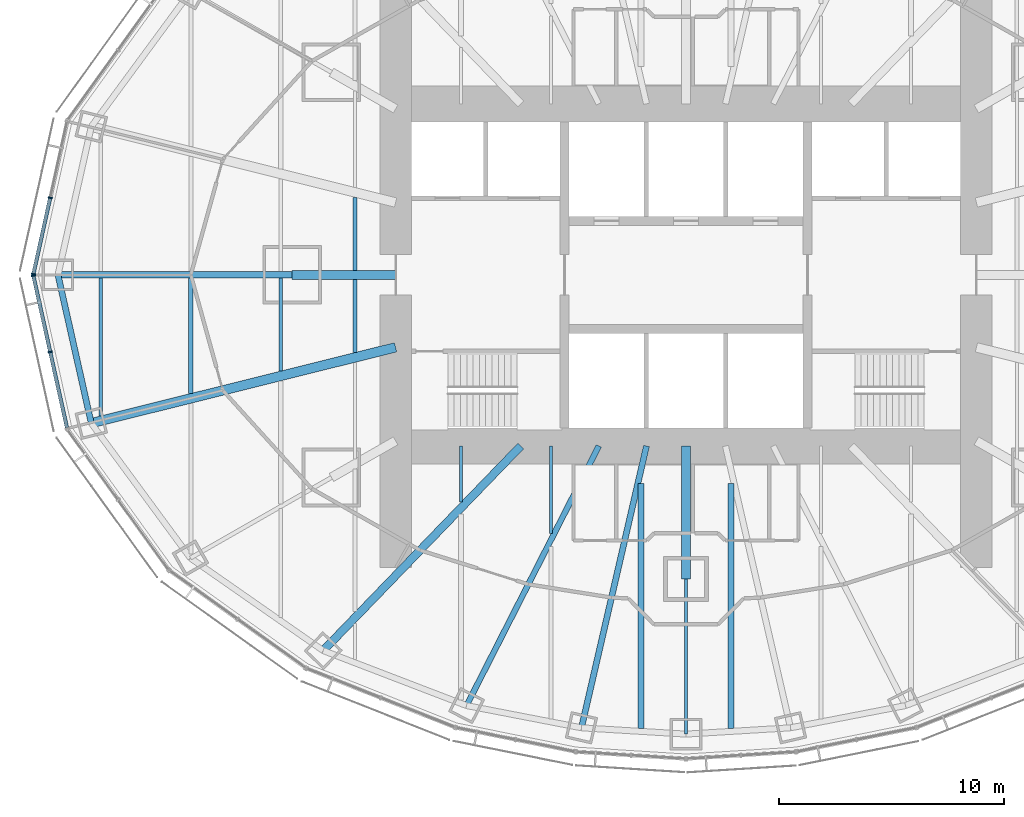
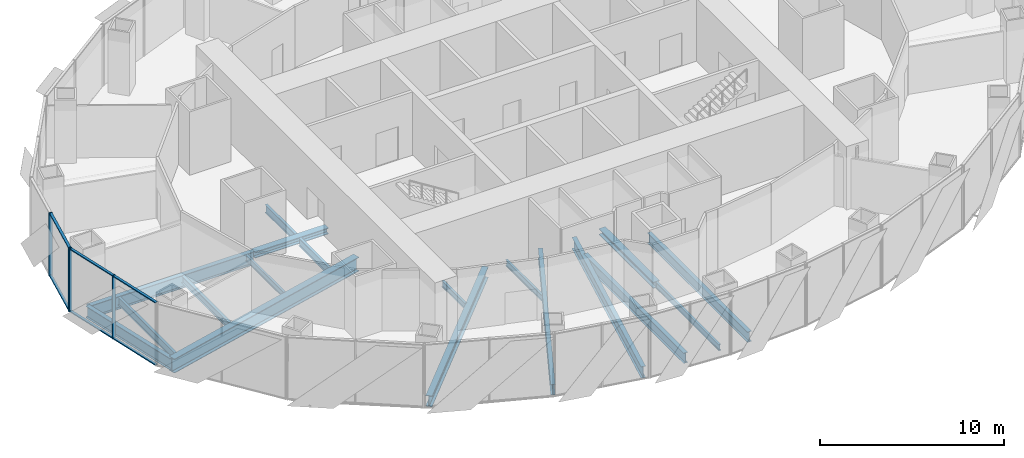
# One storey, part 3 of 17: 18 beams, 10 members, 2 elements without a shape of their own.
"""IFC4 building model written with IfcOpenShell, lengths in metres."""

from ifc_helpers import new_model, si_unit, direction, frame, origin, origin_2d, place, context, subcontext, project, spatial, rectangle, i_section, extrude, material, material_profile, profile_set, type_object, element, aggregate, save


model = new_model("IFC4")

# Units and contexts
model_context = context("Model", 3, precision=1e-05, world=origin(), true_north=direction((0.0, 1.0)))
body_context = subcontext(model_context, "Body", "Model", "MODEL_VIEW")
ifc_project = project(units=[si_unit("LENGTHUNIT", "METRE"), si_unit("AREAUNIT", "SQUARE_METRE"), si_unit("VOLUMEUNIT", "CUBIC_METRE"), si_unit("PLANEANGLEUNIT", "RADIAN"), si_unit("MASSUNIT", "GRAM", prefix="KILO")], contexts=[model_context])

# Site, building, storey
site_placement = place(None, origin())
site = spatial("IfcSite", under=ifc_project, at=site_placement, CompositionType="ELEMENT")
building_placement = place(site_placement, origin())
building = spatial("IfcBuilding", under=site, at=building_placement, Name="Lantaw Convention Tower", CompositionType="ELEMENT")
storey_placement = place(building_placement, frame((0.0, 0.0, 125.800048828125)))
storey = spatial("IfcBuildingStorey", under=building, at=storey_placement, Name="L29", CompositionType="ELEMENT", Elevation=125.800048828125)

# Beams
ifc_material_1 = material(Name="Steel ASTM A992", Category="steel")
ifc_material_profile_1 = material_profile(ifc_material_1, i_section(OverallWidth=0.2666015625, OverallDepth=0.76953125, WebThickness=0.015625, FlangeThickness=0.025390625, FilletRadius=0.0126953125, at=origin_2d()), Name="W30X132")
ifc_profile_set_1 = profile_set([ifc_material_profile_1], Name="Steel ASTM A992")
beam_type_1 = type_object("IfcBeamType", Name="Beam E W30X132", PredefinedType="SPANDREL", material=ifc_profile_set_1)
beam_1_placement = place(storey_placement, frame((-27.89990234375, 0.0, -0.534912109375), z_axis=(0.219211877447, -0.975677279015, 0.0), x_axis=(0.975677279015, 0.219211877447, 0.0)))
element("IfcBeam", 1, at=beam_1_placement, inside=storey, type_object=beam_type_1, Name="Edge beam 13", PredefinedType="SPANDREL", context=body_context, shape_type="SweptSolid", body=[
    extrude(i_section(OverallWidth=0.2666015625, OverallDepth=0.76953125, WebThickness=0.015625, FlangeThickness=0.025390625, FilletRadius=0.0126953125, at=origin_2d()), origin(), (0.0, 0.0, 1.0), 6.75146484375),
])
ifc_material_profile_2 = material_profile(ifc_material_1, i_section(OverallWidth=0.140380859375, OverallDepth=0.40380859375, WebThickness=0.007080078125, FlangeThickness=0.01123046875, FilletRadius=0.01025390625, at=origin_2d()), Name="W16X31")
ifc_profile_set_2 = profile_set([ifc_material_profile_2], Name="Steel ASTM A992")
beam_type_2 = type_object("IfcBeamType", Name="Beam G W16X31", PredefinedType="BEAM", material=ifc_profile_set_2)
beam_2_placement = place(storey_placement, frame((0.0, -13.5, -0.35205078125), z_axis=(0.0, -1.0, 0.0), x_axis=(1.0, 0.0, 0.0)))
element("IfcBeam", 2, at=beam_2_placement, inside=storey, type_object=beam_type_2, Name="Floor girder on ray 19", PredefinedType="BEAM", context=body_context, shape_type="SweptSolid", body=[
    extrude(i_section(OverallWidth=0.140380859375, OverallDepth=0.40380859375, WebThickness=0.007080078125, FlangeThickness=0.01123046875, FilletRadius=0.01025390625, at=origin_2d()), origin(), (0.0, 0.0, 1.0), 6.89990234375),
])
ifc_material_profile_3 = material_profile(ifc_material_1, i_section(OverallWidth=0.25390625, OverallDepth=0.700927734375, WebThickness=0.015380859375, FlangeThickness=0.02783203125, FilletRadius=0.01513671875, at=origin_2d()), Name="W27X129")
ifc_profile_set_3 = profile_set([ifc_material_profile_3], Name="Steel ASTM A992")
beam_type_3 = type_object("IfcBeamType", Name="Beam G W27X129", PredefinedType="BEAM", material=ifc_profile_set_3)
beam_3_placement = place(storey_placement, frame((-3.872314453125, -7.60009765625, -0.50048828125), z_axis=(-0.453991051051, -0.891006243281, 0.0), x_axis=(0.891006243281, -0.453991051051, 0.0)))
element("IfcBeam", 3, at=beam_3_placement, inside=storey, type_object=beam_type_3, Name="Floor girder on ray 17", PredefinedType="BEAM", context=body_context, shape_type="SweptSolid", body=[
    extrude(i_section(OverallWidth=0.25390625, OverallDepth=0.700927734375, WebThickness=0.015380859375, FlangeThickness=0.02783203125, FilletRadius=0.01513671875, at=origin_2d()), origin(), (0.0, 0.0, 1.0), 12.943359375),
])
ifc_material_profile_4 = material_profile(ifc_material_1, i_section(OverallWidth=0.360595703125, OverallDepth=0.72900390625, WebThickness=0.023193359375, FlangeThickness=0.041015625, FilletRadius=0.0126953125, at=origin_2d()), Name="W27X235")
ifc_profile_set_4 = profile_set([ifc_material_profile_4], Name="Steel ASTM A992")
beam_type_4 = type_object("IfcBeamType", Name="Beam G W27X235", PredefinedType="BEAM", material=ifc_profile_set_4)
beam_4_placement = place(storey_placement, frame((-7.33935546875, -7.60009765625, -0.5146484375), z_axis=(-0.694663467407, -0.719334878239, 0.0), x_axis=(0.719334878239, -0.694663467407, 0.0)))
element("IfcBeam", 4, at=beam_4_placement, inside=storey, type_object=beam_type_4, Name="Floor girder on ray 16", PredefinedType="BEAM", context=body_context, shape_type="SweptSolid", body=[
    extrude(i_section(OverallWidth=0.360595703125, OverallDepth=0.72900390625, WebThickness=0.023193359375, FlangeThickness=0.041015625, FilletRadius=0.0126953125, at=origin_2d()), origin(), (0.0, 0.0, 1.0), 12.63671875),
])
ifc_material_profile_5 = material_profile(ifc_material_1, i_section(OverallWidth=0.2666015625, OverallDepth=0.7568359375, WebThickness=0.013916015625, FlangeThickness=0.019287109375, FilletRadius=0.0126953125, at=origin_2d()), Name="W30X108")
ifc_profile_set_5 = profile_set([ifc_material_profile_5], Name="Steel ASTM A992")
beam_type_5 = type_object("IfcBeamType", Name="Beam G W30X108", PredefinedType="BEAM", material=ifc_profile_set_5)
beam_5_placement = place(storey_placement, frame((-1.754638671875, -7.60009765625, -0.528564453125), z_axis=(-0.224944153104, -0.974371658036, 0.0), x_axis=(0.974371658036, -0.224944153104, 0.0)))
element("IfcBeam", 5, at=beam_5_placement, inside=storey, type_object=beam_type_5, Name="Floor girder on ray 18", PredefinedType="BEAM", context=body_context, shape_type="SweptSolid", body=[
    extrude(i_section(OverallWidth=0.2666015625, OverallDepth=0.7568359375, WebThickness=0.013916015625, FlangeThickness=0.019287109375, FilletRadius=0.0126953125, at=origin_2d()), origin(), (0.0, 0.0, 1.0), 12.849365234375),
])
ifc_material_profile_6 = material_profile(ifc_material_1, i_section(OverallWidth=0.2919921875, OverallDepth=0.845703125, WebThickness=0.015380859375, FlangeThickness=0.0244140625, FilletRadius=0.01513671875, at=origin_2d()), Name="W33X141")
ifc_profile_set_6 = profile_set([ifc_material_profile_6], Name="Steel ASTM A992")
beam_type_6 = type_object("IfcBeamType", Name="Beam G W33X141", PredefinedType="BEAM", material=ifc_profile_set_6)
beam_6_placement = place(storey_placement, frame((-17.5, 0.0, -0.572998046875), z_axis=(-1.0, 0.0, 0.0), x_axis=(0.0, -1.0, 0.0)))
element("IfcBeam", 6, at=beam_6_placement, inside=storey, type_object=beam_type_6, Name="Floor girder on ray 13", PredefinedType="BEAM", context=body_context, shape_type="SweptSolid", body=[
    extrude(i_section(OverallWidth=0.2919921875, OverallDepth=0.845703125, WebThickness=0.015380859375, FlangeThickness=0.0244140625, FilletRadius=0.01513671875, at=origin_2d()), origin(), (0.0, 0.0, 1.0), 10.39990234375),
])
ifc_material_profile_7 = material_profile(ifc_material_1, i_section(OverallWidth=0.421630859375, OverallDepth=0.937255859375, WebThickness=0.0224609375, FlangeThickness=0.039794921875, FilletRadius=0.02001953125, at=origin_2d()), Name="W36X282")
ifc_profile_set_7 = profile_set([ifc_material_profile_7], Name="Steel ASTM A992")
beam_type_7 = type_object("IfcBeamType", Name="Beam G W36X282", PredefinedType="BEAM", material=ifc_profile_set_7)
beam_7_placement = place(storey_placement, frame((-12.89990234375, -3.21630859375, -0.61865234375), z_axis=(-0.970296903132, -0.24191717544, 0.0), x_axis=(0.24191717544, -0.970296903132, 0.0)))
element("IfcBeam", 7, at=beam_7_placement, inside=storey, type_object=beam_type_7, Name="Floor girder on ray 14", PredefinedType="BEAM", context=body_context, shape_type="SweptSolid", body=[
    extrude(i_section(OverallWidth=0.421630859375, OverallDepth=0.937255859375, WebThickness=0.0224609375, FlangeThickness=0.039794921875, FilletRadius=0.02001953125, at=origin_2d()), origin(), (0.0, 0.0, 1.0), 13.933837890625),
])
ifc_material_profile_8 = material_profile(ifc_material_1, i_section(OverallWidth=0.40380859375, OverallDepth=0.406494140625, WebThickness=0.027099609375, FlangeThickness=0.043701171875, FilletRadius=0.01513671875, at=origin_2d()), Name="W14X233")
ifc_profile_set_8 = profile_set([ifc_material_profile_8], Name="Steel ASTM A992")
beam_type_8 = type_object("IfcBeamType", Name="Beam GM W14X233", PredefinedType="BEAM", material=ifc_profile_set_8)
beam_8_placement = place(storey_placement, frame((-12.89990234375, 0.0, -0.353271484375), z_axis=(-1.0, 0.0, 0.0), x_axis=(0.0, -1.0, 0.0)))
element("IfcBeam", 8, at=beam_8_placement, inside=storey, type_object=beam_type_8, Name="Core link beam on ray 13", PredefinedType="BEAM", context=body_context, shape_type="SweptSolid", body=[
    extrude(i_section(OverallWidth=0.40380859375, OverallDepth=0.406494140625, WebThickness=0.027099609375, FlangeThickness=0.043701171875, FilletRadius=0.01513671875, at=origin_2d()), origin(), (0.0, 0.0, 1.0), 4.60009765625),
])
beam_9_placement = place(storey_placement, frame((0.0, -7.60009765625, -0.353271484375), z_axis=(0.0, -1.0, 0.0), x_axis=(1.0, 0.0, 0.0)))
element("IfcBeam", 9, at=beam_9_placement, inside=storey, type_object=beam_type_8, Name="Core link beam on ray 19", PredefinedType="BEAM", context=body_context, shape_type="SweptSolid", body=[
    extrude(i_section(OverallWidth=0.40380859375, OverallDepth=0.406494140625, WebThickness=0.027099609375, FlangeThickness=0.043701171875, FilletRadius=0.01513671875, at=origin_2d()), origin(), (0.0, 0.0, 1.0), 5.89990234375),
])
ifc_material_profile_9 = material_profile(ifc_material_1, i_section(OverallWidth=0.140380859375, OverallDepth=0.40380859375, WebThickness=0.007080078125, FlangeThickness=0.01123046875, FilletRadius=0.01025390625, at=origin_2d()), Name="W16X31")
ifc_profile_set_9 = profile_set([ifc_material_profile_9], Name="Steel ASTM A992")
beam_type_9 = type_object("IfcBeamType", Name="Beam J W16X31", PredefinedType="JOIST", material=ifc_profile_set_9)
beam_10_placement = place(storey_placement, frame((-18.0, -4.270751953125, -0.35205078125), z_axis=(0.0, 1.0, 0.0), x_axis=(-1.0, 0.0, 0.0)))
element("IfcBeam", 10, at=beam_10_placement, inside=storey, type_object=beam_type_9, Name="Floor joist", PredefinedType="JOIST", context=body_context, shape_type="SweptSolid", body=[
    extrude(i_section(OverallWidth=0.140380859375, OverallDepth=0.40380859375, WebThickness=0.007080078125, FlangeThickness=0.01123046875, FilletRadius=0.01025390625, at=origin_2d()), origin(), (0.0, 0.0, 1.0), 4.124755859375),
])
beam_11_placement = place(storey_placement, frame((-10.0, -10.095703125, -0.35205078125), z_axis=(0.0, 1.0, 0.0), x_axis=(-1.0, 0.0, 0.0)))
element("IfcBeam", 11, at=beam_11_placement, inside=storey, type_object=beam_type_9, Name="Floor joist", PredefinedType="JOIST", context=body_context, shape_type="SweptSolid", body=[
    extrude(i_section(OverallWidth=0.140380859375, OverallDepth=0.40380859375, WebThickness=0.007080078125, FlangeThickness=0.01123046875, FilletRadius=0.01025390625, at=origin_2d()), origin(), (0.0, 0.0, 1.0), 2.49560546875),
])
beam_12_placement = place(storey_placement, frame((-6.0, -11.495849609375, -0.35205078125), z_axis=(0.0, 1.0, 0.0), x_axis=(-1.0, 0.0, 0.0)))
element("IfcBeam", 12, at=beam_12_placement, inside=storey, type_object=beam_type_9, Name="Floor joist", PredefinedType="JOIST", context=body_context, shape_type="SweptSolid", body=[
    extrude(i_section(OverallWidth=0.140380859375, OverallDepth=0.40380859375, WebThickness=0.007080078125, FlangeThickness=0.01123046875, FilletRadius=0.01025390625, at=origin_2d()), origin(), (0.0, 0.0, 1.0), 3.895751953125),
])
ifc_material_profile_10 = material_profile(ifc_material_1, i_section(OverallWidth=0.1904296875, OverallDepth=0.457275390625, WebThickness=0.009033203125, FlangeThickness=0.014404296875, FilletRadius=0.01025390625, at=origin_2d()), Name="W18X50")
ifc_profile_set_10 = profile_set([ifc_material_profile_10], Name="Steel ASTM A992")
beam_type_10 = type_object("IfcBeamType", Name="Beam J W18X50", PredefinedType="JOIST", material=ifc_profile_set_10)
beam_13_placement = place(storey_placement, frame((-22.0, -5.267822265625, -0.378662109375), z_axis=(0.0, 1.0, 0.0), x_axis=(-1.0, 0.0, 0.0)))
element("IfcBeam", 13, at=beam_13_placement, inside=storey, type_object=beam_type_10, Name="Floor joist", PredefinedType="JOIST", context=body_context, shape_type="SweptSolid", body=[
    extrude(i_section(OverallWidth=0.1904296875, OverallDepth=0.457275390625, WebThickness=0.009033203125, FlangeThickness=0.014404296875, FilletRadius=0.01025390625, at=origin_2d()), origin(), (0.0, 0.0, 1.0), 5.121826171875),
])
ifc_material_profile_11 = material_profile(ifc_material_1, i_section(OverallWidth=0.1650390625, OverallDepth=0.52587890625, WebThickness=0.0087890625, FlangeThickness=0.011474609375, FilletRadius=0.0126953125, at=origin_2d()), Name="W21X44")
ifc_profile_set_11 = profile_set([ifc_material_profile_11], Name="Steel ASTM A992")
beam_type_11 = type_object("IfcBeamType", Name="Beam J W21X44", PredefinedType="JOIST", material=ifc_profile_set_11)
beam_14_placement = place(storey_placement, frame((-26.0, -6.26513671875, -0.412841796875), z_axis=(0.0, 1.0, 0.0), x_axis=(-1.0, 0.0, 0.0)))
element("IfcBeam", 14, at=beam_14_placement, inside=storey, type_object=beam_type_11, Name="Floor joist", PredefinedType="JOIST", context=body_context, shape_type="SweptSolid", body=[
    extrude(i_section(OverallWidth=0.1650390625, OverallDepth=0.52587890625, WebThickness=0.0087890625, FlangeThickness=0.011474609375, FilletRadius=0.0126953125, at=origin_2d()), origin(), (0.0, 0.0, 1.0), 6.119140625),
])
ifc_material_profile_12 = material_profile(ifc_material_1, i_section(OverallWidth=0.165771484375, OverallDepth=0.5283203125, WebThickness=0.009765625, FlangeThickness=0.013671875, FilletRadius=0.012939453125, at=origin_2d()), Name="W21X50")
ifc_profile_set_12 = profile_set([ifc_material_profile_12], Name="Steel ASTM A992")
beam_type_12 = type_object("IfcBeamType", Name="Beam J W21X50", PredefinedType="JOIST", material=ifc_profile_set_12)
for number, where, z_axis, x_axis, name in (
    (15, (-14.699951171875, -3.44775390625, -0.414306640625), (0.0, 1.0, 0.0), (-1.0, 0.0, 0.0), "Floor joist"),
    (16, (-14.699951171875, 0.201904296875, -0.414306640625), (0.0, 1.0, 0.0), (-1.0, 0.0, 0.0), "Floor joist"),
):
    element("IfcBeam", number, at=place(storey_placement, frame(where, z_axis=z_axis, x_axis=x_axis)), inside=storey, type_object=beam_type_12, Name=name, PredefinedType="JOIST", context=body_context, shape_type="SweptSolid", body=[
        extrude(i_section(OverallWidth=0.165771484375, OverallDepth=0.5283203125, WebThickness=0.009765625, FlangeThickness=0.013671875, FilletRadius=0.012939453125, at=origin_2d()), origin(), (0.0, 0.0, 1.0), 3.245849609375),
    ])
ifc_material_profile_13 = material_profile(ifc_material_1, i_section(OverallWidth=0.25390625, OverallDepth=0.683349609375, WebThickness=0.012451171875, FlangeThickness=0.01904296875, FilletRadius=0.01513671875, at=origin_2d()), Name="W27X94")
ifc_profile_set_13 = profile_set([ifc_material_profile_13], Name="Steel ASTM A992")
beam_type_13 = type_object("IfcBeamType", Name="Beam J W27X94", PredefinedType="JOIST", material=ifc_profile_set_13)
for number, where, z_axis, x_axis, name in (
    (17, (-2.0, -20.145751953125, -0.49169921875), (0.0, 1.0, 0.0), (-1.0, 0.0, 0.0), "Floor joist"),
    (18, (2.0, -20.145751953125, -0.49169921875), (0.0, 1.0, 0.0), (-1.0, 0.0, 0.0), "Floor joist"),
):
    element("IfcBeam", number, at=place(storey_placement, frame(where, z_axis=z_axis, x_axis=x_axis)), inside=storey, type_object=beam_type_13, Name=name, PredefinedType="JOIST", context=body_context, shape_type="SweptSolid", body=[
        extrude(i_section(OverallWidth=0.25390625, OverallDepth=0.683349609375, WebThickness=0.012451171875, FlangeThickness=0.01904296875, FilletRadius=0.01513671875, at=origin_2d()), origin(), (0.0, 0.0, 1.0), 10.889892578125),
    ])

# Curtain wall, members
ifc_material_2 = material(Name="Aluminium framed curtain wall", Category="aluminium")
curtain_wall_type = type_object("IfcCurtainWallType", Name="Office curtain wall low rise, pale aluminium", PredefinedType="USERDEFINED", material=ifc_material_2)
curtain_wall_1_placement = place(storey_placement, origin())
curtain_wall_1 = element("IfcCurtainWall", 19, at=curtain_wall_1_placement, inside=storey, type_object=curtain_wall_type, Name="Office curtain wall low rise, pale aluminium L29", ObjectType="UNITISED CURTAIN WALL", PredefinedType="USERDEFINED")
ifc_material_3 = material(Name="Aluminium 6063-T6", Category="aluminium")
ifc_material_profile_14 = material_profile(ifc_material_3, rectangle(XDim=0.199951171875, YDim=0.06494140625, at=origin_2d()), Name="CW-O1 mullion 65x200")
ifc_profile_set_14 = profile_set([ifc_material_profile_14], Name="Aluminium 6063-T6")
member_type_1 = type_object("IfcMemberType", Name="CW-O1 mullion 65x200", PredefinedType="MULLION", material=ifc_profile_set_14)
member_1_placement = place(storey_placement, frame((-28.24365234375, 3.4267578125, -0.150146484375), z_axis=(0.0, 0.0, 1.0), x_axis=(0.9764936509, -0.215546166174, 0.0)))
member_1 = element("IfcMember", 20, at=member_1_placement, type_object=member_type_1, Name="CW-O1 mullion 2", PredefinedType="MULLION", context=body_context, shape_type="SweptSolid", body=[
    extrude(rectangle(XDim=0.199951171875, YDim=0.06494140625, at=origin_2d()), origin(), (0.0, 0.0, 1.0), 4.2001953125),
])
member_2_placement = place(storey_placement, frame((-28.992919921875, 0.03173828125, -0.150146484375), z_axis=(0.0, 0.0, 1.0), x_axis=(0.9764936509, -0.215546166174, 0.0)))
member_2 = element("IfcMember", 21, at=member_2_placement, type_object=member_type_1, Name="CW-O1 mullion 3", PredefinedType="MULLION", context=body_context, shape_type="SweptSolid", body=[
    extrude(rectangle(XDim=0.199951171875, YDim=0.06494140625, at=origin_2d()), origin(), (0.0, 0.0, 1.0), 4.2001953125),
])

curtain_wall_2_placement = place(storey_placement, origin())
curtain_wall_2 = element("IfcCurtainWall", 22, at=curtain_wall_2_placement, inside=storey, type_object=curtain_wall_type, Name="Office curtain wall low rise, pale aluminium L29", ObjectType="UNITISED CURTAIN WALL", PredefinedType="USERDEFINED")
member_3_placement = place(storey_placement, frame((-28.992919921875, -0.03173828125, -0.150146484375), z_axis=(0.0, 0.0, 1.0), x_axis=(0.9764936509, 0.215546166174, 0.0)))
member_3 = element("IfcMember", 23, at=member_3_placement, type_object=member_type_1, Name="CW-O1 mullion 1", PredefinedType="MULLION", context=body_context, shape_type="SweptSolid", body=[
    extrude(rectangle(XDim=0.199951171875, YDim=0.06494140625, at=origin_2d()), origin(), (0.0, 0.0, 1.0), 4.2001953125),
])
member_4_placement = place(storey_placement, frame((-28.24365234375, -3.4267578125, -0.150146484375), z_axis=(0.0, 0.0, 1.0), x_axis=(0.9764936509, 0.215546166174, 0.0)))
member_4 = element("IfcMember", 24, at=member_4_placement, type_object=member_type_1, Name="CW-O1 mullion 2", PredefinedType="MULLION", context=body_context, shape_type="SweptSolid", body=[
    extrude(rectangle(XDim=0.199951171875, YDim=0.06494140625, at=origin_2d()), origin(), (0.0, 0.0, 1.0), 4.2001953125),
])

# Member
ifc_material_profile_15 = material_profile(ifc_material_3, rectangle(XDim=0.159912109375, YDim=0.06494140625, at=origin_2d()), Name="CW-O1 transom 65x160")
ifc_profile_set_15 = profile_set([ifc_material_profile_15], Name="Aluminium 6063-T6")
member_type_2 = type_object("IfcMemberType", Name="CW-O1 transom 65x160", PredefinedType="USERDEFINED", material=ifc_profile_set_15)
member_5_placement = place(storey_placement, frame((-28.250732421875, 3.39501953125, -0.117431640625), z_axis=(-0.215536096386, -0.976495873598, 0.0), x_axis=(0.976495873598, -0.215536096386, 0.0)))
member_5 = element("IfcMember", 25, at=member_5_placement, type_object=member_type_2, Name="CW-O1 transom 2.1", ObjectType="TRANSOM", PredefinedType="USERDEFINED", context=body_context, shape_type="SweptSolid", body=[
    extrude(rectangle(XDim=0.159912109375, YDim=0.06494140625, at=origin_2d()), origin(), (0.0, 0.0, 1.0), 3.41162109375),
])

member_6_placement = place(storey_placement, frame((-28.250732421875, 3.39501953125, 4.017333984375), z_axis=(-0.215536096386, -0.976495873598, 0.0), x_axis=(0.976495873598, -0.215536096386, 0.0)))
member_6 = element("IfcMember", 26, at=member_6_placement, type_object=member_type_2, Name="CW-O1 transom 2.2", ObjectType="TRANSOM", PredefinedType="USERDEFINED", context=body_context, shape_type="SweptSolid", body=[
    extrude(rectangle(XDim=0.159912109375, YDim=0.06494140625, at=origin_2d()), origin(), (0.0, 0.0, 1.0), 3.41162109375),
])

aggregate(curtain_wall_1, [member_1, member_2, member_5, member_6])

member_7_placement = place(storey_placement, frame((-28.986083984375, -0.0634765625, -0.117431640625), z_axis=(0.215536096386, -0.976495873598, 0.0), x_axis=(0.976495873598, 0.215536096386, 0.0)))
member_7 = element("IfcMember", 27, at=member_7_placement, type_object=member_type_2, Name="CW-O1 transom 1.1", ObjectType="TRANSOM", PredefinedType="USERDEFINED", context=body_context, shape_type="SweptSolid", body=[
    extrude(rectangle(XDim=0.159912109375, YDim=0.06494140625, at=origin_2d()), origin(), (0.0, 0.0, 1.0), 3.41162109375),
])

member_8_placement = place(storey_placement, frame((-28.986083984375, -0.0634765625, 4.017333984375), z_axis=(0.215536096386, -0.976495873598, 0.0), x_axis=(0.976495873598, 0.215536096386, 0.0)))
member_8 = element("IfcMember", 28, at=member_8_placement, type_object=member_type_2, Name="CW-O1 transom 1.2", ObjectType="TRANSOM", PredefinedType="USERDEFINED", context=body_context, shape_type="SweptSolid", body=[
    extrude(rectangle(XDim=0.159912109375, YDim=0.06494140625, at=origin_2d()), origin(), (0.0, 0.0, 1.0), 3.41162109375),
])

member_9_placement = place(storey_placement, frame((-28.236572265625, -3.45849609375, -0.117431640625), z_axis=(0.21555115847, -0.976492548913, 0.0), x_axis=(0.976492548913, 0.21555115847, 0.0)))
member_9 = element("IfcMember", 29, at=member_9_placement, type_object=member_type_2, Name="CW-O1 transom 2.1", ObjectType="TRANSOM", PredefinedType="USERDEFINED", context=body_context, shape_type="SweptSolid", body=[
    extrude(rectangle(XDim=0.159912109375, YDim=0.06494140625, at=origin_2d()), origin(), (0.0, 0.0, 1.0), 3.411376953125),
])

member_10_placement = place(storey_placement, frame((-28.236572265625, -3.45849609375, 4.017333984375), z_axis=(0.21555115847, -0.976492548913, 0.0), x_axis=(0.976492548913, 0.21555115847, 0.0)))
member_10 = element("IfcMember", 30, at=member_10_placement, type_object=member_type_2, Name="CW-O1 transom 2.2", ObjectType="TRANSOM", PredefinedType="USERDEFINED", context=body_context, shape_type="SweptSolid", body=[
    extrude(rectangle(XDim=0.159912109375, YDim=0.06494140625, at=origin_2d()), origin(), (0.0, 0.0, 1.0), 3.411376953125),
])

aggregate(curtain_wall_2, [member_3, member_4, member_7, member_8, member_9, member_10])

save(model, "model.ifc")
